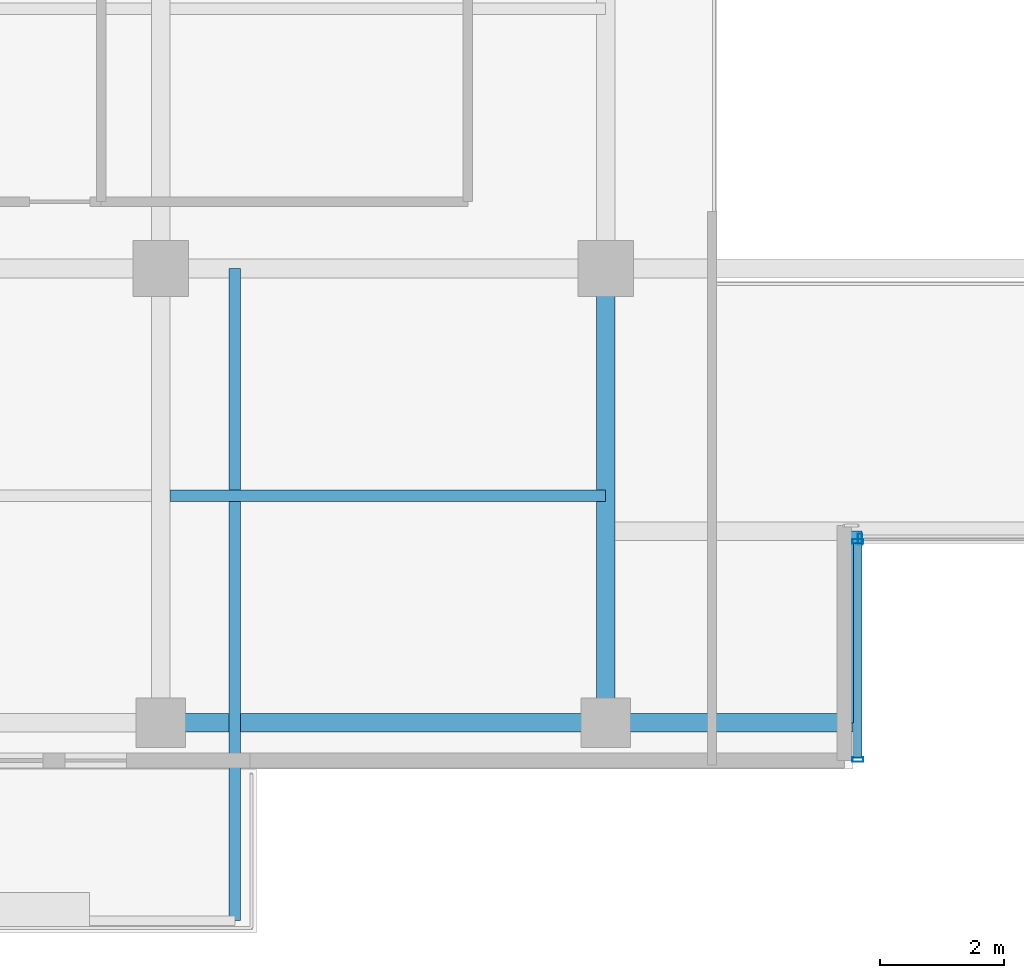
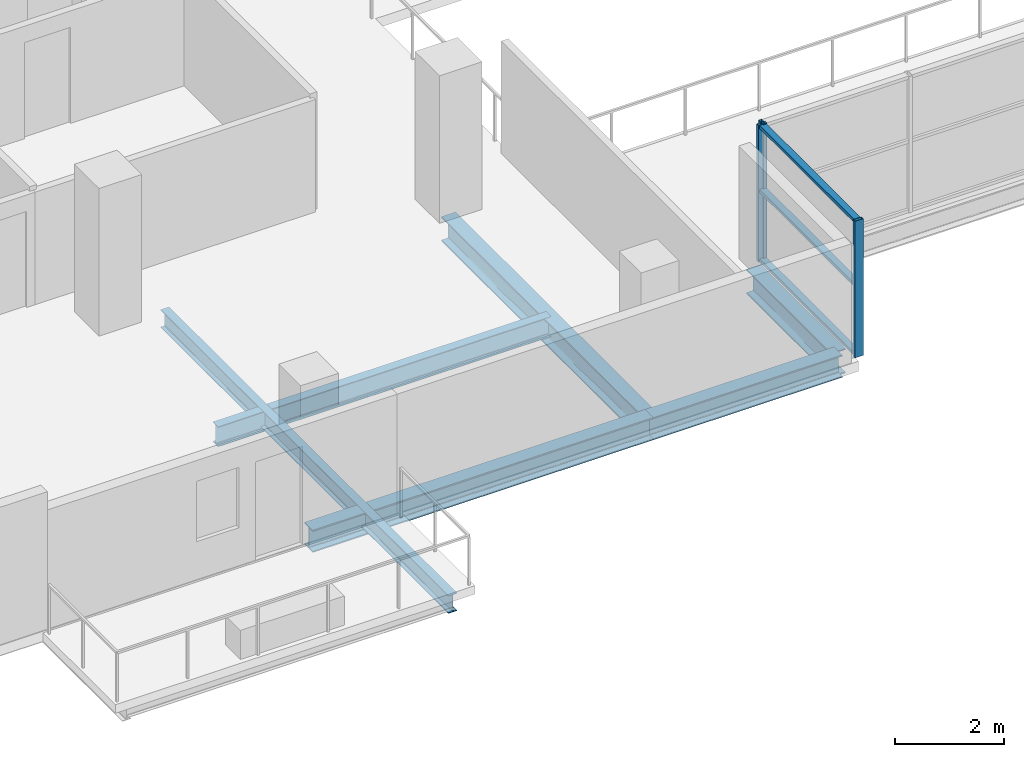
# One storey, part 5 of 25: 6 beams, 6 members, 2 elements without a shape of their own.
"""IFC4 building model written with IfcOpenShell, lengths in metres."""

from ifc_helpers import new_model, si_unit, direction, frame, origin, origin_2d, place, context, subcontext, project, spatial, hollow_rectangle, i_section, extrude, source, transform, mapped, material, layer, layer_set, material_profile, profile_set, type_object, element, aggregate, save


model = new_model("IFC4")

# Units and contexts
model_context = context("Model", 3, precision=1e-05, world=origin(), true_north=direction((0.0, 1.0)))
body_context = subcontext(model_context, "Body", "Model", "MODEL_VIEW")
ifc_project = project(units=[si_unit("LENGTHUNIT", "METRE"), si_unit("AREAUNIT", "SQUARE_METRE"), si_unit("VOLUMEUNIT", "CUBIC_METRE"), si_unit("PLANEANGLEUNIT", "RADIAN"), si_unit("MASSUNIT", "GRAM", prefix="KILO")], contexts=[model_context])

# Site, building, storey
site_placement = place(None, origin())
site = spatial("IfcSite", under=ifc_project, at=site_placement, CompositionType="ELEMENT")
building_placement = place(site_placement, origin())
building = spatial("IfcBuilding", under=site, at=building_placement, Name="Zarnakvel Exchange Tower", CompositionType="ELEMENT")
storey_placement = place(building_placement, frame((0.0, 0.0, 93.39990234375)))
storey = spatial("IfcBuildingStorey", under=building, at=storey_placement, Name="L25", CompositionType="ELEMENT", Elevation=93.39990234375)

# Beams
ifc_material_1 = material(Name="Steel S355", Category="steel")
ifc_material_profile_1 = material_profile(ifc_material_1, i_section(OverallWidth=0.18994140625, OverallDepth=0.449951171875, WebThickness=0.009521484375, FlangeThickness=0.0146484375, FilletRadius=0.02099609375, at=origin_2d()))
ifc_profile_set_1 = profile_set([ifc_material_profile_1], Name="Steel S355")
beam_type_1 = type_object("IfcBeamType", Name="B-05", PredefinedType="JOIST", material=ifc_profile_set_1)
beam_1_placement = place(storey_placement, frame((-14.25, -13.27490234375, -0.449951171875), z_axis=(1.0, 0.0, 0.0), x_axis=(0.0, 1.0, 0.0)))
element("IfcBeam", 1, at=beam_1_placement, inside=storey, type_object=beam_type_1, Name="L25 Composite Floor Secondary Joist", PredefinedType="JOIST", context=body_context, shape_type="SweptSolid", body=[
    extrude(i_section(OverallWidth=0.18994140625, OverallDepth=0.449951171875, WebThickness=0.009521484375, FlangeThickness=0.0146484375, FilletRadius=0.02099609375, at=origin_2d()), origin(), (0.0, 0.0, 1.0), 7.050048828125),
])
ifc_material_profile_2 = material_profile(ifc_material_1, i_section(OverallWidth=0.179931640625, OverallDepth=0.39990234375, WebThickness=0.008544921875, FlangeThickness=0.013427734375, FilletRadius=0.02099609375, at=origin_2d()))
ifc_profile_set_2 = profile_set([ifc_material_profile_2], Name="Steel S355")
beam_type_2 = type_object("IfcBeamType", Name="B-06", PredefinedType="JOIST", material=ifc_profile_set_2)
beam_2_placement = place(storey_placement, frame((-13.199951171875, -9.60009765625, -0.4248046875), z_axis=(0.0, -1.0, 0.0), x_axis=(1.0, 0.0, 0.0)))
element("IfcBeam", 2, at=beam_2_placement, inside=storey, type_object=beam_type_2, Name="L25 Continuous Back-Spanned Balcony Beam E", PredefinedType="JOIST", context=body_context, shape_type="SweptSolid", body=[
    extrude(i_section(OverallWidth=0.179931640625, OverallDepth=0.39990234375, WebThickness=0.008544921875, FlangeThickness=0.013427734375, FilletRadius=0.02099609375, at=origin_2d()), origin(), (0.0, 0.0, 1.0), 10.5498046875),
])
ifc_material_profile_3 = material_profile(ifc_material_1, i_section(OverallWidth=0.300048828125, OverallDepth=0.550048828125, WebThickness=0.014892578125, FlangeThickness=0.029052734375, FilletRadius=0.027099609375, at=origin_2d()))
ifc_profile_set_3 = profile_set([ifc_material_profile_3], Name="Steel S355")
beam_type_3 = type_object("IfcBeamType", Name="G-05", PredefinedType="BEAM", material=ifc_profile_set_3)
beam_3_placement = place(storey_placement, frame((-3.199951171875, -16.949951171875, -0.5), z_axis=(0.0, 1.0, 0.0), x_axis=(-1.0, 0.0, 0.0)))
element("IfcBeam", 3, at=beam_3_placement, inside=storey, type_object=beam_type_3, Name="L25 South Slot West Cheek Beam", PredefinedType="BEAM", context=body_context, shape_type="SweptSolid", body=[
    extrude(i_section(OverallWidth=0.300048828125, OverallDepth=0.550048828125, WebThickness=0.014892578125, FlangeThickness=0.029052734375, FilletRadius=0.027099609375, at=origin_2d()), origin(), (0.0, 0.0, 1.0), 3.099853515625),
])
beam_4_placement = place(storey_placement, frame((-7.199951171875, -16.949951171875, -0.5), z_axis=(0.0, 1.0, 0.0), x_axis=(-1.0, 0.0, 0.0)))
element("IfcBeam", 4, at=beam_4_placement, inside=storey, type_object=beam_type_3, Name="L25 Tower N-S Frame Beam", PredefinedType="BEAM", context=body_context, shape_type="SweptSolid", body=[
    extrude(i_section(OverallWidth=0.300048828125, OverallDepth=0.550048828125, WebThickness=0.014892578125, FlangeThickness=0.029052734375, FilletRadius=0.027099609375, at=origin_2d()), origin(), (0.0, 0.0, 1.0), 7.349853515625),
])
ifc_material_profile_4 = material_profile(ifc_material_1, i_section(OverallWidth=0.300048828125, OverallDepth=0.5, WebThickness=0.014404296875, FlangeThickness=0.028076171875, FilletRadius=0.027099609375, at=origin_2d()))
ifc_profile_set_4 = profile_set([ifc_material_profile_4], Name="Steel S355")
beam_type_4 = type_object("IfcBeamType", Name="SP-02", PredefinedType="SPANDREL", material=ifc_profile_set_4)
beam_5_placement = place(storey_placement, frame((-14.39990234375, -16.949951171875, -0.474853515625), z_axis=(1.0, 0.0, 0.0), x_axis=(0.0, 1.0, 0.0)))
element("IfcBeam", 5, at=beam_5_placement, inside=storey, type_object=beam_type_4, Name="L25 Tower E-W Frame Beam", PredefinedType="SPANDREL", context=body_context, shape_type="SweptSolid", body=[
    extrude(i_section(OverallWidth=0.300048828125, OverallDepth=0.5, WebThickness=0.014404296875, FlangeThickness=0.028076171875, FilletRadius=0.027099609375, at=origin_2d()), origin(), (0.0, 0.0, 1.0), 7.199951171875),
])
beam_6_placement = place(storey_placement, frame((-7.199951171875, -16.949951171875, -0.474853515625), z_axis=(1.0, 0.0, 0.0), x_axis=(0.0, 1.0, 0.0)))
element("IfcBeam", 6, at=beam_6_placement, inside=storey, type_object=beam_type_4, Name="L25 South Slot West Jamb Spandrel", PredefinedType="SPANDREL", context=body_context, shape_type="SweptSolid", body=[
    extrude(i_section(OverallWidth=0.300048828125, OverallDepth=0.5, WebThickness=0.014404296875, FlangeThickness=0.028076171875, FilletRadius=0.027099609375, at=origin_2d()), origin(), (0.0, 0.0, 1.0), 4.0),
])

# Curtain wall, members
ifc_material_2 = material(Name="Architectural Bronze Anodised Aluminium", Category="aluminium")
ifc_layer = layer(ifc_material_2, 0.179931640625)
ifc_layer_set = layer_set([ifc_layer], Name="Architectural Bronze Anodised Aluminium")
curtain_wall_type = type_object("IfcCurtainWallType", Name="CW-05", PredefinedType="NOTDEFINED", material=ifc_layer_set)
curtain_wall_1_placement = place(storey_placement, origin())
curtain_wall_1 = element("IfcCurtainWall", 7, at=curtain_wall_1_placement, inside=storey, type_object=curtain_wall_type, Name="L25 Curtain Wall CW-L25-SLW (CW-05)", PredefinedType="NOTDEFINED")
ifc_material_profile_5 = material_profile(ifc_material_2, hollow_rectangle(XDim=0.179931640625, YDim=0.070068359375, WallThickness=0.00390625, at=origin_2d()))
ifc_profile_set_5 = profile_set([ifc_material_profile_5], Name="Architectural Bronze Anodised Aluminium")
member_type_1 = type_object("IfcMemberType", Name="CWM-05", PredefinedType="MULLION", material=ifc_profile_set_5)
shared_shape_1 = source(origin(), body_context, "Body", "SweptSolid", [
    extrude(hollow_rectangle(XDim=0.179931640625, YDim=0.070068359375, WallThickness=0.00390625, at=origin_2d()), origin(), (0.0, 0.0, 1.0), 3.05517578125),
])
member_1_placement = place(storey_placement, frame((-3.1201171875, -17.544921875, 0.0), z_axis=(0.0, 0.0, 1.0), x_axis=(-1.0, 0.0, 0.0)))
member_1 = element("IfcMember", 8, at=member_1_placement, type_object=member_type_1, Name="CW-05 mullion 1", PredefinedType="MULLION", context=body_context, shape_type="MappedRepresentation", body=[
    mapped(shared_shape_1, transform((0.0, 0.0, 0.0), x_axis=(1.0, 0.0, 0.0), y_axis=(0.0, 1.0, 0.0), z_axis=(0.0, 0.0, 1.0), scale=1.0)),
])
member_2_placement = place(storey_placement, frame((-3.1201171875, -14.014892578125, 0.0), z_axis=(0.0, 0.0, 1.0), x_axis=(-1.0, 0.0, 0.0)))
member_2 = element("IfcMember", 9, at=member_2_placement, type_object=member_type_1, Name="CW-05 mullion 2", PredefinedType="MULLION", context=body_context, shape_type="MappedRepresentation", body=[
    mapped(shared_shape_1, transform((0.0, 0.0, 0.0), x_axis=(1.0, 0.0, 0.0), y_axis=(0.0, 1.0, 0.0), z_axis=(0.0, 0.0, 1.0), scale=1.0)),
])

# Curtain wall, member
curtain_wall_2_placement = place(storey_placement, origin())
curtain_wall_2 = element("IfcCurtainWall", 10, at=curtain_wall_2_placement, inside=storey, type_object=curtain_wall_type, Name="L25 Curtain Wall CW-L25-SLB (CW-05)", PredefinedType="NOTDEFINED")
member_3_placement = place(storey_placement, frame((-3.0849609375, -13.97998046875, 0.0), z_axis=(0.0, 0.0, 1.0), x_axis=(0.0, 1.0, 0.0)))
member_3 = element("IfcMember", 11, at=member_3_placement, type_object=member_type_1, Name="CW-05 mullion 1", PredefinedType="MULLION", context=body_context, shape_type="MappedRepresentation", body=[
    mapped(shared_shape_1, transform((0.0, 0.0, 0.0), x_axis=(1.0, 0.0, 0.0), y_axis=(0.0, 1.0, 0.0), z_axis=(0.0, 0.0, 1.0), scale=1.0)),
])
aggregate(curtain_wall_2, [member_3])

# Member
ifc_material_profile_6 = material_profile(ifc_material_2, hollow_rectangle(XDim=0.139892578125, YDim=0.070068359375, WallThickness=0.00390625, at=origin_2d()))
ifc_profile_set_6 = profile_set([ifc_material_profile_6], Name="Architectural Bronze Anodised Aluminium")
member_type_2 = type_object("IfcMemberType", Name="CWT-05", PredefinedType="USERDEFINED", material=ifc_profile_set_6)
shared_shape_2 = source(origin(), body_context, "Body", "SweptSolid", [
    extrude(hollow_rectangle(XDim=0.139892578125, YDim=0.070068359375, WallThickness=0.00390625, at=origin_2d()), origin(), (0.0, 0.0, 1.0), 3.4599609375),
])
member_4_placement = place(storey_placement, frame((-3.1201171875, -17.510009765625, 0.03515625), z_axis=(0.0, 1.0, 0.0), x_axis=(-1.0, 0.0, 0.0)))
member_4 = element("IfcMember", 12, at=member_4_placement, type_object=member_type_2, Name="CW-05 transom 1.1", ObjectType="TRANSOM", PredefinedType="USERDEFINED", context=body_context, shape_type="MappedRepresentation", body=[
    mapped(shared_shape_2, transform((0.0, 0.0, 0.0), x_axis=(1.0, 0.0, 0.0), y_axis=(0.0, 1.0, 0.0), z_axis=(0.0, 0.0, 1.0), scale=1.0)),
])

member_5_placement = place(storey_placement, frame((-3.1201171875, -17.510009765625, 1.588623046875), z_axis=(0.0, 1.0, 0.0), x_axis=(-1.0, 0.0, 0.0)))
member_5 = element("IfcMember", 13, at=member_5_placement, type_object=member_type_2, Name="CW-05 transom 1.2", ObjectType="TRANSOM", PredefinedType="USERDEFINED", context=body_context, shape_type="MappedRepresentation", body=[
    mapped(shared_shape_2, transform((0.0, 0.0, 0.0), x_axis=(1.0, 0.0, 0.0), y_axis=(0.0, 1.0, 0.0), z_axis=(0.0, 0.0, 1.0), scale=1.0)),
])

member_6_placement = place(storey_placement, frame((-3.1201171875, -17.510009765625, 3.02001953125), z_axis=(0.0, 1.0, 0.0), x_axis=(-1.0, 0.0, 0.0)))
member_6 = element("IfcMember", 14, at=member_6_placement, type_object=member_type_2, Name="CW-05 transom 1.3", ObjectType="TRANSOM", PredefinedType="USERDEFINED", context=body_context, shape_type="MappedRepresentation", body=[
    mapped(shared_shape_2, transform((0.0, 0.0, 0.0), x_axis=(1.0, 0.0, 0.0), y_axis=(0.0, 1.0, 0.0), z_axis=(0.0, 0.0, 1.0), scale=1.0)),
])

aggregate(curtain_wall_1, [member_1, member_2, member_4, member_5, member_6])

save(model, "model.ifc")
